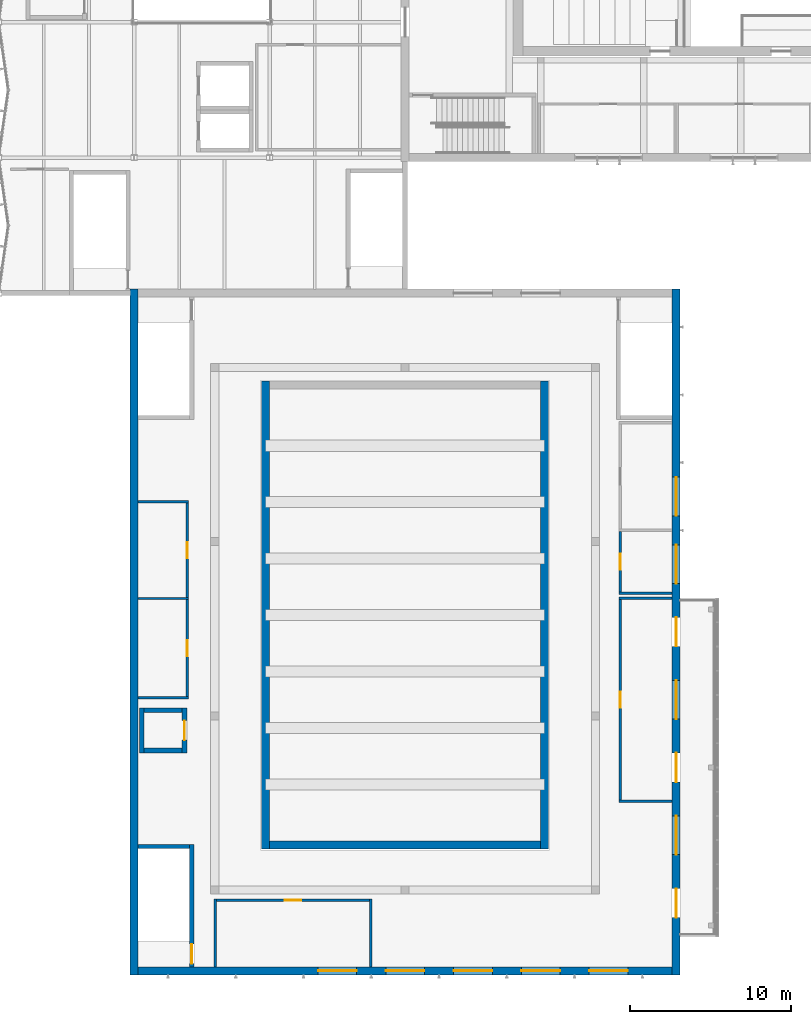
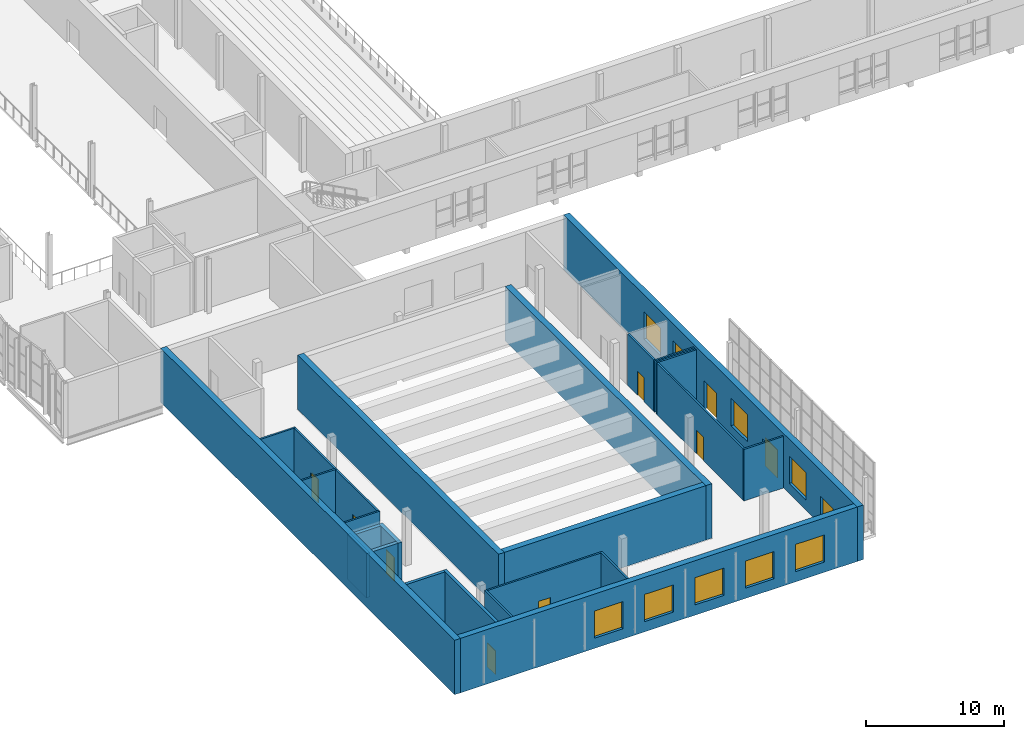
# One storey, part 69 of 116: 25 walls, 10 doors, 9 windows, 19 openings.
"""IFC4 building model written with IfcOpenShell, lengths in metres."""

import ifcopenshell
import ifcopenshell.guid

model = None  # the IFC model being written
_history = None  # IfcOwnerHistory: only IFC2X3 demands one
_inside = {}  # id of a spatial element -> (the spatial element, [elements in it])
_under = {}  # id of a project, library or spatial element -> (it, [spatial elements below it])
_declared = {}  # id of a project -> (the project, [libraries it declares])
_typed = {}  # id of a type object -> (the type object, [elements of that type])
_made_of = {}  # id of a material, layer set ... -> (it, [elements and type objects made of it])


def new_model(schema):
    """Start an empty IFC model of exactly this schema.

    Asked for "IFC4X3", IfcOpenShell would pick the latest addendum, in which some entities
    have other attributes; the version numbers below select the first issue.
    IFC2X3 requires an IfcOwnerHistory on every rooted entity: one is made here for all.
    """
    global model, _history
    if schema == "IFC4X3":
        model = ifcopenshell.file(schema_version=(4, 3, 0, 0))
    else:
        model = ifcopenshell.file(schema=schema)
    _inside.clear()
    _under.clear()
    _declared.clear()
    _typed.clear()
    _made_of.clear()
    _history = None
    if model.schema == "IFC2X3":
        org = make("IfcOrganization", Name="unknown")
        user = make(
            "IfcPersonAndOrganization",
            ThePerson=make("IfcPerson", FamilyName="unknown"),
            TheOrganization=org,
        )
        app = make(
            "IfcApplication",
            ApplicationDeveloper=org,
            Version="unknown",
            ApplicationFullName="unknown",
            ApplicationIdentifier="unknown",
        )
        _history = make(
            "IfcOwnerHistory",
            OwningUser=user,
            OwningApplication=app,
            ChangeAction="ADDED",
            CreationDate=0,
        )
    return model


def make(cls, **values):
    """One entity of the class cls with the attributes given. An attribute that is None is left unset."""
    return model.create_entity(
        cls, **{name: value for name, value in values.items() if value is not None}
    )


def rooted(cls, **values):
    """An entity with a GlobalId (a new one), such as an element, a storey or a relation."""
    return make(cls, GlobalId=ifcopenshell.guid.new(), OwnerHistory=_history, **values)


def si_unit(unit_type, name, prefix=None):
    """IfcSIUnit, for example si_unit("LENGTHUNIT", "METRE", prefix="MILLI")."""
    return make("IfcSIUnit", UnitType=unit_type, Prefix=prefix, Name=name)


def assignment(units):
    """IfcUnitAssignment: the units of a project."""
    return None if units is None else make("IfcUnitAssignment", Units=units)


def point(xyz):
    """IfcCartesianPoint."""
    return None if xyz is None else make("IfcCartesianPoint", Coordinates=xyz)


def direction(xyz):
    """IfcDirection."""
    return None if xyz is None else make("IfcDirection", DirectionRatios=xyz)


def frame(location, z_axis=None, x_axis=None):
    """IfcAxis2Placement3D, a coordinate frame: its origin and axes. An axis left out is left unset."""
    return make(
        "IfcAxis2Placement3D",
        Location=point(location),
        Axis=direction(z_axis),
        RefDirection=direction(x_axis),
    )


def frame_2d(location, x_axis=None):
    """IfcAxis2Placement2D, a coordinate frame in the plane: its origin and x axis."""
    return make(
        "IfcAxis2Placement2D", Location=point(location), RefDirection=direction(x_axis)
    )


def origin():
    """The frame at (0, 0, 0) with its axes left unset."""
    return frame((0.0, 0.0, 0.0))


def place(relative_to, where):
    """IfcLocalPlacement: puts the frame where relative to a parent placement (None: the world)."""
    return make(
        "IfcLocalPlacement", PlacementRelTo=relative_to, RelativePlacement=where
    )


def context(
    kind, dimensions, precision=None, world=None, true_north=None, identifier=None
):
    """IfcGeometricRepresentationContext, for example the 3D "Model" context."""
    return make(
        "IfcGeometricRepresentationContext",
        ContextIdentifier=identifier,
        ContextType=kind,
        CoordinateSpaceDimension=dimensions,
        Precision=precision,
        WorldCoordinateSystem=world,
        TrueNorth=true_north,
    )


def subcontext(parent, identifier, kind, view, scale=None):
    """IfcGeometricRepresentationSubContext, for example "Body" below "Model"."""
    return make(
        "IfcGeometricRepresentationSubContext",
        ContextIdentifier=identifier,
        ContextType=kind,
        ParentContext=parent,
        TargetScale=scale,
        TargetView=view,
    )


def project(units=None, contexts=None):
    """IfcProject with its units and contexts."""
    return rooted(
        "IfcProject",
        Name="project",
        RepresentationContexts=contexts,
        UnitsInContext=assignment(units),
    )


def spatial(cls, under=None, at=None, **own):
    """A site, building, storey or space (cls), placed at a placement, below another one or the project."""
    s = rooted(cls, ObjectPlacement=at, **own)
    if under is not None:
        _under.setdefault(under.id(), (under, []))[1].append(s)
    return s


def profile(cls, at=None, kind="AREA", **sizes):
    """A parametric profile (cls). Its sizes go by their IFC names, for example OverallWidth=200.0."""
    return make(cls, ProfileType=kind, Position=at, **sizes)


def rectangle(**sizes):
    """IfcRectangleProfileDef."""
    return profile("IfcRectangleProfileDef", **sizes)


def extrude(swept, where, along, depth):
    """IfcExtrudedAreaSolid: the profile swept, set in the frame where, extruded along a direction by depth."""
    return make(
        "IfcExtrudedAreaSolid",
        SweptArea=swept,
        Position=where,
        ExtrudedDirection=direction(along),
        Depth=depth,
    )


def shape(context_of_items, identifier, shape_type, items):
    """IfcShapeRepresentation: the items that make up one representation, for example the "Body"."""
    return make(
        "IfcShapeRepresentation",
        ContextOfItems=context_of_items,
        RepresentationIdentifier=identifier,
        RepresentationType=shape_type,
        Items=items,
    )


def material(Name=None, Category=None):
    """IfcMaterial."""
    return make("IfcMaterial", Name=Name, Category=Category)


def layer(
    of_material, thickness, ventilated=None, Name=None, Category=None, Priority=None
):
    """IfcMaterialLayer: one layer of a wall or slab, of a material (None: an air gap)."""
    return make(
        "IfcMaterialLayer",
        Material=of_material,
        LayerThickness=thickness,
        IsVentilated=ventilated,
        Name=Name,
        Category=Category,
        Priority=Priority,
    )


def layer_set(layers, Name=None):
    """IfcMaterialLayerSet."""
    return make("IfcMaterialLayerSet", MaterialLayers=layers, LayerSetName=Name)


def made_of(thing, what):
    """Note that an element or type object is made of a material, layer set ...; save() writes the relation."""
    if what is not None:
        _made_of.setdefault(what.id(), (what, []))[1].append(thing)
    return thing


def type_object(cls, material=None, **own):
    """A type object (cls), such as IfcWallType, which elements share."""
    return made_of(rooted(cls, **own), material)


def element(
    cls,
    number,
    at=None,
    inside=None,
    cuts=None,
    type_object=None,
    material=None,
    context=None,
    identifier="Body",
    shape_type=None,
    held_by="IfcProductDefinitionShape",
    body=None,
    shapes=None,
    **own,
):
    """One element of the class cls, such as IfcWall. Its Tag is "e" and its number.

    at: its placement. inside: the storey or other place that contains it. cuts: it is an
    opening in that element (IfcRelVoidsElement). A single representation is given by context,
    identifier, shape_type and body (its items); several are given by shapes. held_by: the class
    of the entity that holds the representations. save() writes the other relations.
    """
    e = rooted(cls, Tag="e%d" % number, ObjectPlacement=at, **own)
    if body is not None:
        shapes = [shape(context, identifier, shape_type, body)]
    if shapes is not None:
        e.Representation = make(held_by, Representations=shapes)
    if inside is not None:
        _inside.setdefault(inside.id(), (inside, []))[1].append(e)
    if cuts is not None:
        rooted(
            "IfcRelVoidsElement", RelatingBuildingElement=cuts, RelatedOpeningElement=e
        )
    if type_object is not None:
        _typed.setdefault(type_object.id(), (type_object, []))[1].append(e)
    return made_of(e, material)


def fill(opening, filler):
    """IfcRelFillsElement: the door or window that sits in an opening."""
    return rooted(
        "IfcRelFillsElement",
        RelatingOpeningElement=opening,
        RelatedBuildingElement=filler,
    )


def aggregate(whole, parts):
    """IfcRelAggregates: a whole, such as a stair, and the parts it consists of."""
    return rooted("IfcRelAggregates", RelatingObject=whole, RelatedObjects=parts)


def save(model, path):
    """Write the relations noted so far, then the file.

    IfcRelAggregates (storeys below a building ...), IfcRelContainedInSpatialStructure (elements
    in a storey), IfcRelDefinesByType, IfcRelAssociatesMaterial and IfcRelDeclares: one each for
    every whole, place, type object, material and project.
    """
    for whole, parts in _under.values():
        aggregate(whole, parts)
    for where, things in _inside.values():
        rooted(
            "IfcRelContainedInSpatialStructure",
            RelatedElements=things,
            RelatingStructure=where,
        )
    for kind, things in _typed.values():
        rooted("IfcRelDefinesByType", RelatedObjects=things, RelatingType=kind)
    for what, things in _made_of.values():
        rooted("IfcRelAssociatesMaterial", RelatedObjects=things, RelatingMaterial=what)
    for by, libraries in _declared.values():
        rooted("IfcRelDeclares", RelatingContext=by, RelatedDefinitions=libraries)
    model.write(path)


model = new_model("IFC4")

# Units and contexts
model_context = context("Model", 3, precision=1e-05, world=origin(), true_north=direction((0.0, 1.0)))
body_context = subcontext(model_context, "Body", "Model", "MODEL_VIEW")
ifc_project = project(units=[si_unit("LENGTHUNIT", "METRE"), si_unit("AREAUNIT", "SQUARE_METRE"), si_unit("VOLUMEUNIT", "CUBIC_METRE"), si_unit("PLANEANGLEUNIT", "RADIAN"), si_unit("MASSUNIT", "GRAM", prefix="KILO")], contexts=[model_context])

# Site, building, storey
site_placement = place(None, origin())
site = spatial("IfcSite", under=ifc_project, at=site_placement, CompositionType="ELEMENT")
building_placement = place(site_placement, origin())
building = spatial("IfcBuilding", under=site, at=building_placement, Name="Ljudholm Concert House", CompositionType="ELEMENT")
storey_placement = place(building_placement, frame((0.0, 0.0, 10.199951171875)))
storey = spatial("IfcBuildingStorey", under=building, at=storey_placement, Name="L02", CompositionType="ELEMENT", Elevation=10.199951171875)

# Wall, opening, door
ifc_material_1 = material(Name="Gypsum board on steel studs", Category="steel")
ifc_layer_1 = layer(ifc_material_1, 0.14990234375)
ifc_layer_set_1 = layer_set([ifc_layer_1], Name="Gypsum board on steel studs")
wall_type_1 = type_object("IfcWallType", Name="GYPSUM PARTITION 150", PredefinedType="PARTITIONING", material=ifc_layer_set_1)
wall_1_placement = place(storey_placement, frame((17.5, 8.375, 0.0), z_axis=(0.0, 0.0, 1.0), x_axis=(1.0, 0.0, 0.0)))
wall_1 = element("IfcWall", 1, at=wall_1_placement, inside=storey, type_object=wall_type_1, Name="Ventilation Plant Room partition", PredefinedType="PARTITIONING", context=body_context, shape_type="SweptSolid", body=[
    extrude(rectangle(XDim=9.5, YDim=0.14990234375, at=frame_2d((4.75, 0.0))), origin(), (0.0, 0.0, 1.0), 4.550048828125),
])
opening_1_placement = place(wall_1_placement, frame((4.25, 0.0, 0.0)))
opening_1 = element("IfcOpeningElement", 2, at=opening_1_placement, cuts=wall_1, Name="Opening D-C02-005", PredefinedType="OPENING", context=body_context, shape_type="SweptSolid", body=[
    extrude(rectangle(XDim=1.0, YDim=2.10009765625, at=frame_2d((0.5, 1.050048828125))), frame((0.0, 0.0849609375, 0.0), z_axis=(0.0, -1.0, 0.0), x_axis=(1.0, 0.0, 0.0)), (0.0, 0.0, 1.0), 0.169921875),
])
ifc_material_2 = material(Name="Hollow metal door in steel frame", Category="steel")
door_type_1 = type_object("IfcDoorType", Name="SWING DOOR 1000x2100", OperationType="SINGLE_SWING_LEFT", PredefinedType="DOOR", material=ifc_material_2)
door_1_placement = place(opening_1_placement, frame((1.0, 0.0, 0.0), z_axis=(0.0, 0.0, 1.0), x_axis=(-1.0, 0.0, 0.0)))
door_1 = element("IfcDoor", 3, at=door_1_placement, inside=storey, type_object=door_type_1, Name="Ventilation Plant Room door", OperationType="SINGLE_SWING_RIGHT", OverallHeight=2.10009765625, OverallWidth=1.0, PredefinedType="DOOR", context=body_context, shape_type="SweptSolid", body=[
    extrude(rectangle(XDim=1.0, YDim=2.10009765625, at=frame_2d((0.5, 1.050048828125))), frame((0.0, 0.02490234375, 0.0), z_axis=(0.0, -1.0, 0.0), x_axis=(1.0, 0.0, 0.0)), (0.0, 0.0, 1.0), 0.050048828125),
])
fill(opening_1, door_1)

# Walls
for number, where, z_axis, x_axis, name in (
    (4, (17.425048828125, 4.25, 0.0), (0.0, 0.0, 1.0), (0.0, 1.0, 0.0), "Ventilation Plant Room partition"),
    (5, (27.074951171875, 4.25, 0.0), (0.0, 0.0, 1.0), (0.0, 1.0, 0.0), "Ventilation Plant Room partition"),
):
    element("IfcWall", number, at=place(storey_placement, frame(where, z_axis=z_axis, x_axis=x_axis)), inside=storey, type_object=wall_type_1, Name=name, PredefinedType="PARTITIONING", context=body_context, shape_type="SweptSolid", body=[
        extrude(rectangle(XDim=4.199951171875, YDim=0.14990234375, at=frame_2d((2.10009765625, 0.0))), origin(), (0.0, 0.0, 1.0), 4.550048828125),
    ])

# Wall, opening, door
wall_2_placement = place(storey_placement, frame((15.699951171875, 21.0, 0.0), z_axis=(0.0, 0.0, 1.0), x_axis=(0.0, 1.0, 0.0)))
wall_2 = element("IfcWall", 6, at=wall_2_placement, inside=storey, type_object=wall_type_1, Name="Control Room partition", PredefinedType="PARTITIONING", context=body_context, shape_type="SweptSolid", body=[
    extrude(rectangle(XDim=6.0, YDim=0.14990234375, at=frame_2d((3.0, 0.0))), origin(), (0.0, 0.0, 1.0), 4.550048828125),
])
opening_2_placement = place(wall_2_placement, frame((2.5, 0.0, 0.0)))
opening_2 = element("IfcOpeningElement", 7, at=opening_2_placement, cuts=wall_2, Name="Opening D-C02-006", PredefinedType="OPENING", context=body_context, shape_type="SweptSolid", body=[
    extrude(rectangle(XDim=1.0, YDim=2.10009765625, at=frame_2d((0.5, 1.050048828125))), frame((0.0, 0.0849609375, 0.0), z_axis=(0.0, -1.0, 0.0), x_axis=(1.0, 0.0, 0.0)), (0.0, 0.0, 1.0), 0.169921875),
])
door_2_placement = place(opening_2_placement, origin())
door_2 = element("IfcDoor", 8, at=door_2_placement, inside=storey, type_object=door_type_1, Name="Control Room door", OperationType="SINGLE_SWING_LEFT", OverallHeight=2.10009765625, OverallWidth=1.0, PredefinedType="DOOR", context=body_context, shape_type="SweptSolid", body=[
    extrude(rectangle(XDim=1.0, YDim=2.10009765625, at=frame_2d((0.5, 1.050048828125))), frame((0.0, 0.02490234375, 0.0), z_axis=(0.0, -1.0, 0.0), x_axis=(1.0, 0.0, 0.0)), (0.0, 0.0, 1.0), 0.050048828125),
])
fill(opening_2, door_2)

# Walls
for number, where, z_axis, x_axis, name in (
    (9, (12.64990234375, 20.925048828125, 0.0), (0.0, 0.0, 1.0), (1.0, 0.0, 0.0), "Control Room partition"),
    (10, (12.64990234375, 27.074951171875, 0.0), (0.0, 0.0, 1.0), (1.0, 0.0, 0.0), "Control Room partition"),
):
    element("IfcWall", number, at=place(storey_placement, frame(where, z_axis=z_axis, x_axis=x_axis)), inside=storey, type_object=wall_type_1, Name=name, PredefinedType="PARTITIONING", context=body_context, shape_type="SweptSolid", body=[
        extrude(rectangle(XDim=3.125, YDim=0.14990234375, at=frame_2d((1.5625, 0.0))), origin(), (0.0, 0.0, 1.0), 4.550048828125),
    ])

# Wall, opening, door
wall_3_placement = place(storey_placement, frame((15.699951171875, 27.14990234375, 0.0), z_axis=(0.0, 0.0, 1.0), x_axis=(0.0, 1.0, 0.0)))
wall_3 = element("IfcWall", 11, at=wall_3_placement, inside=storey, type_object=wall_type_1, Name="Acoustic Plant Room partition", PredefinedType="PARTITIONING", context=body_context, shape_type="SweptSolid", body=[
    extrude(rectangle(XDim=5.85009765625, YDim=0.14990234375, at=frame_2d((2.925048828125, 0.0))), origin(), (0.0, 0.0, 1.0), 4.550048828125),
])
opening_3_placement = place(wall_3_placement, frame((2.425048828125, 0.0, 0.0)))
opening_3 = element("IfcOpeningElement", 12, at=opening_3_placement, cuts=wall_3, Name="Opening D-C02-007", PredefinedType="OPENING", context=body_context, shape_type="SweptSolid", body=[
    extrude(rectangle(XDim=1.0, YDim=2.10009765625, at=frame_2d((0.5, 1.050048828125))), frame((0.0, 0.0849609375, 0.0), z_axis=(0.0, -1.0, 0.0), x_axis=(1.0, 0.0, 0.0)), (0.0, 0.0, 1.0), 0.169921875),
])
door_3_placement = place(opening_3_placement, origin())
door_3 = element("IfcDoor", 13, at=door_3_placement, inside=storey, type_object=door_type_1, Name="Acoustic Plant Room door", OperationType="SINGLE_SWING_RIGHT", OverallHeight=2.10009765625, OverallWidth=1.0, PredefinedType="DOOR", context=body_context, shape_type="SweptSolid", body=[
    extrude(rectangle(XDim=1.0, YDim=2.10009765625, at=frame_2d((0.5, 1.050048828125))), frame((0.0, 0.02490234375, 0.0), z_axis=(0.0, -1.0, 0.0), x_axis=(1.0, 0.0, 0.0)), (0.0, 0.0, 1.0), 0.050048828125),
])
fill(opening_3, door_3)

# Wall
wall_4_placement = place(storey_placement, frame((12.64990234375, 33.074951171875, 0.0), z_axis=(0.0, 0.0, 1.0), x_axis=(1.0, 0.0, 0.0)))
element("IfcWall", 14, at=wall_4_placement, inside=storey, type_object=wall_type_1, Name="Acoustic Plant Room partition", PredefinedType="PARTITIONING", context=body_context, shape_type="SweptSolid", body=[
    extrude(rectangle(XDim=3.125, YDim=0.14990234375, at=frame_2d((1.5625, 0.0))), origin(), (0.0, 0.0, 1.0), 4.550048828125),
])

# Wall, opening, door
wall_5_placement = place(storey_placement, frame((42.52490234375, 14.574951171875, 0.0), z_axis=(0.0, 0.0, 1.0), x_axis=(0.0, 1.0, 0.0)))
wall_5 = element("IfcWall", 15, at=wall_5_placement, inside=storey, type_object=wall_type_1, Name="Chamber Hall Lounge partition", PredefinedType="PARTITIONING", context=body_context, shape_type="SweptSolid", body=[
    extrude(rectangle(XDim=12.449951171875, YDim=0.14990234375, at=frame_2d((6.22509765625, 0.0))), origin(), (0.0, 0.0, 1.0), 4.550048828125),
])
opening_4_placement = place(wall_5_placement, frame((5.72509765625, 0.0, 0.0)))
opening_4 = element("IfcOpeningElement", 16, at=opening_4_placement, cuts=wall_5, Name="Opening D-C02-008", PredefinedType="OPENING", context=body_context, shape_type="SweptSolid", body=[
    extrude(rectangle(XDim=1.0, YDim=2.10009765625, at=frame_2d((0.5, 1.050048828125))), frame((0.0, 0.0849609375, 0.0), z_axis=(0.0, -1.0, 0.0), x_axis=(1.0, 0.0, 0.0)), (0.0, 0.0, 1.0), 0.169921875),
])
door_4_placement = place(opening_4_placement, origin())
door_4 = element("IfcDoor", 17, at=door_4_placement, inside=storey, type_object=door_type_1, Name="Chamber Hall Lounge door", OperationType="SINGLE_SWING_RIGHT", OverallHeight=2.10009765625, OverallWidth=1.0, PredefinedType="DOOR", context=body_context, shape_type="SweptSolid", body=[
    extrude(rectangle(XDim=1.0, YDim=2.10009765625, at=frame_2d((0.5, 1.050048828125))), frame((0.0, 0.02490234375, 0.0), z_axis=(0.0, -1.0, 0.0), x_axis=(1.0, 0.0, 0.0)), (0.0, 0.0, 1.0), 0.050048828125),
])
fill(opening_4, door_4)

# Walls
for number, where, z_axis, x_axis, name in (
    (18, (42.449951171875, 14.5, 0.0), (0.0, 0.0, 1.0), (1.0, 0.0, 0.0), "Chamber Hall Lounge partition"),
    (19, (42.449951171875, 27.10009765625, 0.0), (0.0, 0.0, 1.0), (1.0, 0.0, 0.0), "Chamber Hall Lounge partition"),
):
    element("IfcWall", number, at=place(storey_placement, frame(where, z_axis=z_axis, x_axis=x_axis)), inside=storey, type_object=wall_type_1, Name=name, PredefinedType="PARTITIONING", context=body_context, shape_type="SweptSolid", body=[
        extrude(rectangle(XDim=3.300048828125, YDim=0.14990234375, at=frame_2d((1.64990234375, 0.0))), origin(), (0.0, 0.0, 1.0), 4.550048828125),
    ])

# Wall, opening, door
wall_6_placement = place(storey_placement, frame((42.52490234375, 27.47509765625, 0.0), z_axis=(0.0, 0.0, 1.0), x_axis=(0.0, 1.0, 0.0)))
wall_6 = element("IfcWall", 20, at=wall_6_placement, inside=storey, type_object=wall_type_1, Name="Practice Room 1 partition", PredefinedType="PARTITIONING", context=body_context, shape_type="SweptSolid", body=[
    extrude(rectangle(XDim=3.75, YDim=0.14990234375, at=frame_2d((1.875, 0.0))), origin(), (0.0, 0.0, 1.0), 4.550048828125),
])
opening_5_placement = place(wall_6_placement, frame((1.375, 0.0, 0.0)))
opening_5 = element("IfcOpeningElement", 21, at=opening_5_placement, cuts=wall_6, Name="Opening D-C02-009", PredefinedType="OPENING", context=body_context, shape_type="SweptSolid", body=[
    extrude(rectangle(XDim=1.0, YDim=2.10009765625, at=frame_2d((0.5, 1.050048828125))), frame((0.0, 0.0849609375, 0.0), z_axis=(0.0, -1.0, 0.0), x_axis=(1.0, 0.0, 0.0)), (0.0, 0.0, 1.0), 0.169921875),
])
door_5_placement = place(opening_5_placement, frame((1.0, 0.0, 0.0), z_axis=(0.0, 0.0, 1.0), x_axis=(-1.0, 0.0, 0.0)))
door_5 = element("IfcDoor", 22, at=door_5_placement, inside=storey, type_object=door_type_1, Name="Practice Room 1 door", OperationType="SINGLE_SWING_LEFT", OverallHeight=2.10009765625, OverallWidth=1.0, PredefinedType="DOOR", context=body_context, shape_type="SweptSolid", body=[
    extrude(rectangle(XDim=1.0, YDim=2.10009765625, at=frame_2d((0.5, 1.050048828125))), frame((0.0, 0.02490234375, 0.0), z_axis=(0.0, -1.0, 0.0), x_axis=(1.0, 0.0, 0.0)), (0.0, 0.0, 1.0), 0.050048828125),
])
fill(opening_5, door_5)

# Wall
wall_7_placement = place(storey_placement, frame((42.449951171875, 27.39990234375, 0.0), z_axis=(0.0, 0.0, 1.0), x_axis=(1.0, 0.0, 0.0)))
element("IfcWall", 23, at=wall_7_placement, inside=storey, type_object=wall_type_1, Name="Practice Room 1 partition", PredefinedType="PARTITIONING", context=body_context, shape_type="SweptSolid", body=[
    extrude(rectangle(XDim=3.300048828125, YDim=0.14990234375, at=frame_2d((1.64990234375, 0.0))), origin(), (0.0, 0.0, 1.0), 4.550048828125),
])

# Wall, opening, door
ifc_material_3 = material(Name="Concrete 6,500 psi", Category="concrete")
ifc_layer_2 = layer(ifc_material_3, 0.25)
ifc_layer_set_2 = layer_set([ifc_layer_2], Name="Concrete 6,500 psi")
wall_type_2 = type_object("IfcWallType", Name="RC WALL 250", PredefinedType="SOLIDWALL", material=ifc_layer_set_2)
wall_8_placement = place(storey_placement, frame((15.97509765625, 4.25, 0.0), z_axis=(0.0, 0.0, 1.0), x_axis=(0.0, 1.0, 0.0)))
wall_8 = element("IfcWall", 24, at=wall_8_placement, inside=storey, type_object=wall_type_2, Name="Stair enclosure wall EC1", PredefinedType="SOLIDWALL", context=body_context, shape_type="SweptSolid", body=[
    extrude(rectangle(XDim=7.570068359375, YDim=0.25, at=frame_2d((3.78515625, 0.0))), origin(), (0.0, 0.0, 1.0), 4.800048828125),
])
opening_6_placement = place(wall_8_placement, frame((0.199951171875, 0.0, 0.0)))
opening_6 = element("IfcOpeningElement", 25, at=opening_6_placement, cuts=wall_8, Name="Opening D-C02-011", PredefinedType="OPENING", context=body_context, shape_type="SweptSolid", body=[
    extrude(rectangle(XDim=1.199951171875, YDim=2.10009765625, at=frame_2d((0.60009765625, 1.050048828125))), frame((0.0, 0.135009765625, 0.0), z_axis=(0.0, -1.0, 0.0), x_axis=(1.0, 0.0, 0.0)), (0.0, 0.0, 1.0), 0.27001953125),
])
ifc_material_4 = material(Name="Hollow metal door in steel frame", Category="steel")
door_type_2 = type_object("IfcDoorType", Name="SWING DOOR 1200x2100", OperationType="SINGLE_SWING_LEFT", PredefinedType="DOOR", material=ifc_material_4)
door_6_placement = place(opening_6_placement, origin())
door_6 = element("IfcDoor", 26, at=door_6_placement, inside=storey, type_object=door_type_2, Name="Exit stair EC1 door", OperationType="SINGLE_SWING_RIGHT", OverallHeight=2.10009765625, OverallWidth=1.199951171875, PredefinedType="DOOR", context=body_context, shape_type="SweptSolid", body=[
    extrude(rectangle(XDim=1.199951171875, YDim=2.10009765625, at=frame_2d((0.60009765625, 1.050048828125))), frame((0.0, 0.02490234375, 0.0), z_axis=(0.0, -1.0, 0.0), x_axis=(1.0, 0.0, 0.0)), (0.0, 0.0, 1.0), 0.050048828125),
])
fill(opening_6, door_6)

# Walls
wall_9_placement = place(storey_placement, frame((12.64990234375, 11.695068359375, 0.0), z_axis=(0.0, 0.0, 1.0), x_axis=(1.0, 0.0, 0.0)))
element("IfcWall", 27, at=wall_9_placement, inside=storey, type_object=wall_type_2, Name="Stair enclosure wall EC1", PredefinedType="SOLIDWALL", context=body_context, shape_type="SweptSolid", body=[
    extrude(rectangle(XDim=3.2001953125, YDim=0.25, at=frame_2d((1.60009765625, 0.0))), origin(), (0.0, 0.0, 1.0), 4.800048828125),
])
ifc_material_5 = material(Name="Concrete 6,500 psi", Category="concrete")
ifc_layer_3 = layer(ifc_material_5, 0.300048828125)
ifc_layer_set_3 = layer_set([ifc_layer_3], Name="Concrete 6,500 psi")
wall_type_3 = type_object("IfcWallType", Name="RC WALL 300", PredefinedType="SOLIDWALL", material=ifc_layer_set_3)
wall_10_placement = place(storey_placement, frame((12.875, 17.5, 0.0), z_axis=(0.0, 0.0, 1.0), x_axis=(0.0, 1.0, 0.0)))
element("IfcWall", 28, at=wall_10_placement, inside=storey, type_object=wall_type_3, Name="Lift shaft wall", PredefinedType="SOLIDWALL", context=body_context, shape_type="SweptSolid", body=[
    extrude(rectangle(XDim=2.800048828125, YDim=0.300048828125, at=frame_2d((1.39990234375, 0.0))), origin(), (0.0, 0.0, 1.0), 3.900146484375),
])

# Wall, opening, door
wall_11_placement = place(storey_placement, frame((15.52490234375, 17.5, 0.0), z_axis=(0.0, 0.0, 1.0), x_axis=(0.0, 1.0, 0.0)))
wall_11 = element("IfcWall", 29, at=wall_11_placement, inside=storey, type_object=wall_type_3, Name="Lift shaft wall", PredefinedType="SOLIDWALL", context=body_context, shape_type="SweptSolid", body=[
    extrude(rectangle(XDim=2.800048828125, YDim=0.300048828125, at=frame_2d((1.39990234375, 0.0))), origin(), (0.0, 0.0, 1.0), 3.900146484375),
])
opening_7_placement = place(wall_11_placement, frame((0.800048828125, 0.0, 0.0)))
opening_7 = element("IfcOpeningElement", 30, at=opening_7_placement, cuts=wall_11, Name="Opening LD-C02-001", PredefinedType="OPENING", context=body_context, shape_type="SweptSolid", body=[
    extrude(rectangle(XDim=1.199951171875, YDim=2.10009765625, at=frame_2d((0.60009765625, 1.050048828125))), frame((0.0, 0.159912109375, 0.0), z_axis=(0.0, -1.0, 0.0), x_axis=(1.0, 0.0, 0.0)), (0.0, 0.0, 1.0), 0.320068359375),
])
ifc_material_6 = material(Name="Stainless steel sliding landing door, fire-rated", Category="steel")
door_type_3 = type_object("IfcDoorType", Name="LIFT DOOR 1200x2100", OperationType="SLIDING_TO_LEFT", PredefinedType="DOOR", material=ifc_material_6)
door_7_placement = place(opening_7_placement, origin())
door_7 = element("IfcDoor", 31, at=door_7_placement, inside=storey, type_object=door_type_3, Name="Lift landing door", OperationType="SLIDING_TO_LEFT", OverallHeight=2.10009765625, OverallWidth=1.199951171875, PredefinedType="DOOR", context=body_context, shape_type="SweptSolid", body=[
    extrude(rectangle(XDim=1.199951171875, YDim=2.10009765625, at=frame_2d((0.60009765625, 1.050048828125))), frame((0.0, 0.02490234375, 0.0), z_axis=(0.0, -1.0, 0.0), x_axis=(1.0, 0.0, 0.0)), (0.0, 0.0, 1.0), 0.050048828125),
])
fill(opening_7, door_7)

# Walls
for number, where, z_axis, x_axis, name in (
    (32, (13.02490234375, 17.64990234375, 0.0), (0.0, 0.0, 1.0), (1.0, 0.0, 0.0), "Lift shaft wall"),
    (33, (13.02490234375, 20.14990234375, 0.0), (0.0, 0.0, 1.0), (1.0, 0.0, 0.0), "Lift shaft wall"),
):
    element("IfcWall", number, at=place(storey_placement, frame(where, z_axis=z_axis, x_axis=x_axis)), inside=storey, type_object=wall_type_3, Name=name, PredefinedType="SOLIDWALL", context=body_context, shape_type="SweptSolid", body=[
        extrude(rectangle(XDim=2.35009765625, YDim=0.300048828125, at=frame_2d((1.175048828125, 0.0))), origin(), (0.0, 0.0, 1.0), 3.900146484375),
    ])
ifc_material_7 = material(Name="Concrete 6,500 psi", Category="concrete")
ifc_layer_4 = layer(ifc_material_7, 0.5)
ifc_layer_set_4 = layer_set([ifc_layer_4], Name="Concrete 6,500 psi")
wall_type_4 = type_object("IfcWallType", Name="RC WALL 500", PredefinedType="SOLIDWALL", material=ifc_layer_set_4)
wall_12_placement = place(storey_placement, frame((12.39990234375, 3.75, 0.0), z_axis=(0.0, 0.0, 1.0), x_axis=(0.0, 1.0, 0.0)))
element("IfcWall", 34, at=wall_12_placement, inside=storey, type_object=wall_type_4, Name="Outer wall W", PredefinedType="SOLIDWALL", context=body_context, shape_type="SweptSolid", body=[
    extrude(rectangle(XDim=42.5, YDim=0.5, at=frame_2d((21.25, 0.0))), origin(), (0.0, 0.0, 1.0), 4.800048828125),
])

# Wall, openings, doors, windows
wall_13_placement = place(storey_placement, frame((46.0, 3.75, 0.0), z_axis=(0.0, 0.0, 1.0), x_axis=(0.0, 1.0, 0.0)))
wall_13 = element("IfcWall", 35, at=wall_13_placement, inside=storey, type_object=wall_type_4, Name="Outer wall E", PredefinedType="SOLIDWALL", context=body_context, shape_type="SweptSolid", body=[
    extrude(rectangle(XDim=42.5, YDim=0.5, at=frame_2d((21.25, 0.0))), origin(), (0.0, 0.0, 1.0), 4.800048828125),
])
opening_8_placement = place(wall_13_placement, frame((7.449951171875, 0.0, 0.89990234375)))
opening_8 = element("IfcOpeningElement", 36, at=opening_8_placement, cuts=wall_13, Name="Opening X-C02-006", PredefinedType="OPENING", context=body_context, shape_type="SweptSolid", body=[
    extrude(rectangle(XDim=2.39990234375, YDim=2.39990234375, at=frame_2d((1.199951171875, 1.199951171875))), frame((0.0, 0.260009765625, 0.0), z_axis=(0.0, -1.0, 0.0), x_axis=(1.0, 0.0, 0.0)), (0.0, 0.0, 1.0), 0.52001953125),
])
opening_9_placement = place(wall_13_placement, frame((15.85009765625, 0.0, 0.89990234375)))
opening_9 = element("IfcOpeningElement", 37, at=opening_9_placement, cuts=wall_13, Name="Opening X-C02-007", PredefinedType="OPENING", context=body_context, shape_type="SweptSolid", body=[
    extrude(rectangle(XDim=2.39990234375, YDim=2.39990234375, at=frame_2d((1.199951171875, 1.199951171875))), frame((0.0, 0.260009765625, 0.0), z_axis=(0.0, -1.0, 0.0), x_axis=(1.0, 0.0, 0.0)), (0.0, 0.0, 1.0), 0.52001953125),
])
opening_10_placement = place(wall_13_placement, frame((24.25, 0.0, 0.89990234375)))
opening_10 = element("IfcOpeningElement", 38, at=opening_10_placement, cuts=wall_13, Name="Opening X-C02-008", PredefinedType="OPENING", context=body_context, shape_type="SweptSolid", body=[
    extrude(rectangle(XDim=2.39990234375, YDim=2.39990234375, at=frame_2d((1.199951171875, 1.199951171875))), frame((0.0, 0.260009765625, 0.0), z_axis=(0.0, -1.0, 0.0), x_axis=(1.0, 0.0, 0.0)), (0.0, 0.0, 1.0), 0.52001953125),
])
opening_11_placement = place(wall_13_placement, frame((28.449951171875, 0.0, 0.89990234375)))
opening_11 = element("IfcOpeningElement", 39, at=opening_11_placement, cuts=wall_13, Name="Opening X-C02-009", PredefinedType="OPENING", context=body_context, shape_type="SweptSolid", body=[
    extrude(rectangle(XDim=2.39990234375, YDim=2.39990234375, at=frame_2d((1.199951171875, 1.199951171875))), frame((0.0, 0.260009765625, 0.0), z_axis=(0.0, -1.0, 0.0), x_axis=(1.0, 0.0, 0.0)), (0.0, 0.0, 1.0), 0.52001953125),
])
opening_12_placement = place(wall_13_placement, frame((3.550048828125, 0.0, 0.0)))
opening_12 = element("IfcOpeningElement", 40, at=opening_12_placement, cuts=wall_13, Name="Opening D-C02-002", PredefinedType="OPENING", context=body_context, shape_type="SweptSolid", body=[
    extrude(rectangle(XDim=1.800048828125, YDim=2.5, at=frame_2d((0.89990234375, 1.25))), frame((0.0, 0.260009765625, 0.0), z_axis=(0.0, -1.0, 0.0), x_axis=(1.0, 0.0, 0.0)), (0.0, 0.0, 1.0), 0.52001953125),
])
opening_13_placement = place(wall_13_placement, frame((11.949951171875, 0.0, 0.0)))
opening_13 = element("IfcOpeningElement", 41, at=opening_13_placement, cuts=wall_13, Name="Opening D-C02-003", PredefinedType="OPENING", context=body_context, shape_type="SweptSolid", body=[
    extrude(rectangle(XDim=1.800048828125, YDim=2.5, at=frame_2d((0.89990234375, 1.25))), frame((0.0, 0.260009765625, 0.0), z_axis=(0.0, -1.0, 0.0), x_axis=(1.0, 0.0, 0.0)), (0.0, 0.0, 1.0), 0.52001953125),
])
opening_14_placement = place(wall_13_placement, frame((20.35009765625, 0.0, 0.0)))
opening_14 = element("IfcOpeningElement", 42, at=opening_14_placement, cuts=wall_13, Name="Opening D-C02-004", PredefinedType="OPENING", context=body_context, shape_type="SweptSolid", body=[
    extrude(rectangle(XDim=1.800048828125, YDim=2.5, at=frame_2d((0.89990234375, 1.25))), frame((0.0, 0.260009765625, 0.0), z_axis=(0.0, -1.0, 0.0), x_axis=(1.0, 0.0, 0.0)), (0.0, 0.0, 1.0), 0.52001953125),
])
ifc_material_8 = material(Name="Aluminium-framed glazed door, impact-rated", Category="aluminium")
door_type_4 = type_object("IfcDoorType", Name="DOUBLE DOOR 1800x2500", OperationType="DOUBLE_DOOR_SINGLE_SWING", PredefinedType="DOOR", material=ifc_material_8)
door_8_placement = place(opening_12_placement, frame((1.800048828125, 0.0, 0.0), z_axis=(0.0, 0.0, 1.0), x_axis=(-1.0, 0.0, 0.0)))
door_8 = element("IfcDoor", 43, at=door_8_placement, inside=storey, type_object=door_type_4, Name="Loggia door", OperationType="DOUBLE_DOOR_SINGLE_SWING", OverallHeight=2.5, OverallWidth=1.800048828125, PredefinedType="DOOR", context=body_context, shape_type="SweptSolid", body=[
    extrude(rectangle(XDim=1.800048828125, YDim=2.5, at=frame_2d((0.89990234375, 1.25))), frame((0.0, 0.02490234375, 0.0), z_axis=(0.0, -1.0, 0.0), x_axis=(1.0, 0.0, 0.0)), (0.0, 0.0, 1.0), 0.050048828125),
])
fill(opening_12, door_8)
door_9_placement = place(opening_13_placement, frame((1.800048828125, 0.0, 0.0), z_axis=(0.0, 0.0, 1.0), x_axis=(-1.0, 0.0, 0.0)))
door_9 = element("IfcDoor", 44, at=door_9_placement, inside=storey, type_object=door_type_4, Name="Loggia door", OperationType="DOUBLE_DOOR_SINGLE_SWING", OverallHeight=2.5, OverallWidth=1.800048828125, PredefinedType="DOOR", context=body_context, shape_type="SweptSolid", body=[
    extrude(rectangle(XDim=1.800048828125, YDim=2.5, at=frame_2d((0.89990234375, 1.25))), frame((0.0, 0.02490234375, 0.0), z_axis=(0.0, -1.0, 0.0), x_axis=(1.0, 0.0, 0.0)), (0.0, 0.0, 1.0), 0.050048828125),
])
fill(opening_13, door_9)
door_10_placement = place(opening_14_placement, frame((1.800048828125, 0.0, 0.0), z_axis=(0.0, 0.0, 1.0), x_axis=(-1.0, 0.0, 0.0)))
door_10 = element("IfcDoor", 45, at=door_10_placement, inside=storey, type_object=door_type_4, Name="Loggia door", OperationType="DOUBLE_DOOR_SINGLE_SWING", OverallHeight=2.5, OverallWidth=1.800048828125, PredefinedType="DOOR", context=body_context, shape_type="SweptSolid", body=[
    extrude(rectangle(XDim=1.800048828125, YDim=2.5, at=frame_2d((0.89990234375, 1.25))), frame((0.0, 0.02490234375, 0.0), z_axis=(0.0, -1.0, 0.0), x_axis=(1.0, 0.0, 0.0)), (0.0, 0.0, 1.0), 0.050048828125),
])
fill(opening_14, door_10)
ifc_material_9 = material(Name="Aluminium frame, impact glazing", Category="aluminium")
window_type = type_object("IfcWindowType", Name="FIXED WINDOW 2400x2400", PartitioningType="SINGLE_PANEL", PredefinedType="WINDOW", material=ifc_material_9)
window_1_placement = place(opening_8_placement, origin())
window_1 = element("IfcWindow", 46, at=window_1_placement, inside=storey, type_object=window_type, Name="Promenade window", OverallHeight=2.39990234375, OverallWidth=2.39990234375, PartitioningType="SINGLE_PANEL", PredefinedType="WINDOW", context=body_context, shape_type="SweptSolid", body=[
    extrude(rectangle(XDim=2.39990234375, YDim=2.39990234375, at=frame_2d((1.199951171875, 1.199951171875))), frame((0.0, 0.030029296875, 0.0), z_axis=(0.0, -1.0, 0.0), x_axis=(1.0, 0.0, 0.0)), (0.0, 0.0, 1.0), 0.06005859375),
])
fill(opening_8, window_1)
window_2_placement = place(opening_9_placement, origin())
window_2 = element("IfcWindow", 47, at=window_2_placement, inside=storey, type_object=window_type, Name="Promenade window", OverallHeight=2.39990234375, OverallWidth=2.39990234375, PartitioningType="SINGLE_PANEL", PredefinedType="WINDOW", context=body_context, shape_type="SweptSolid", body=[
    extrude(rectangle(XDim=2.39990234375, YDim=2.39990234375, at=frame_2d((1.199951171875, 1.199951171875))), frame((0.0, 0.030029296875, 0.0), z_axis=(0.0, -1.0, 0.0), x_axis=(1.0, 0.0, 0.0)), (0.0, 0.0, 1.0), 0.06005859375),
])
fill(opening_9, window_2)
window_3_placement = place(opening_10_placement, origin())
window_3 = element("IfcWindow", 48, at=window_3_placement, inside=storey, type_object=window_type, Name="Promenade window", OverallHeight=2.39990234375, OverallWidth=2.39990234375, PartitioningType="SINGLE_PANEL", PredefinedType="WINDOW", context=body_context, shape_type="SweptSolid", body=[
    extrude(rectangle(XDim=2.39990234375, YDim=2.39990234375, at=frame_2d((1.199951171875, 1.199951171875))), frame((0.0, 0.030029296875, 0.0), z_axis=(0.0, -1.0, 0.0), x_axis=(1.0, 0.0, 0.0)), (0.0, 0.0, 1.0), 0.06005859375),
])
fill(opening_10, window_3)
window_4_placement = place(opening_11_placement, origin())
window_4 = element("IfcWindow", 49, at=window_4_placement, inside=storey, type_object=window_type, Name="Promenade window", OverallHeight=2.39990234375, OverallWidth=2.39990234375, PartitioningType="SINGLE_PANEL", PredefinedType="WINDOW", context=body_context, shape_type="SweptSolid", body=[
    extrude(rectangle(XDim=2.39990234375, YDim=2.39990234375, at=frame_2d((1.199951171875, 1.199951171875))), frame((0.0, 0.030029296875, 0.0), z_axis=(0.0, -1.0, 0.0), x_axis=(1.0, 0.0, 0.0)), (0.0, 0.0, 1.0), 0.06005859375),
])
fill(opening_11, window_4)

# Wall, openings, windows
wall_14_placement = place(storey_placement, frame((12.64990234375, 4.0, 0.0), z_axis=(0.0, 0.0, 1.0), x_axis=(1.0, 0.0, 0.0)))
wall_14 = element("IfcWall", 50, at=wall_14_placement, inside=storey, type_object=wall_type_4, Name="Outer wall S", PredefinedType="SOLIDWALL", context=body_context, shape_type="SweptSolid", body=[
    extrude(rectangle(XDim=33.10009765625, YDim=0.5, at=frame_2d((16.550048828125, 0.0))), origin(), (0.0, 0.0, 1.0), 4.800048828125),
])
opening_15_placement = place(wall_14_placement, frame((11.14990234375, 0.0, 0.89990234375)))
opening_15 = element("IfcOpeningElement", 51, at=opening_15_placement, cuts=wall_14, Name="Opening X-C02-001", PredefinedType="OPENING", context=body_context, shape_type="SweptSolid", body=[
    extrude(rectangle(XDim=2.39990234375, YDim=2.39990234375, at=frame_2d((1.199951171875, 1.199951171875))), frame((0.0, 0.260009765625, 0.0), z_axis=(0.0, -1.0, 0.0), x_axis=(1.0, 0.0, 0.0)), (0.0, 0.0, 1.0), 0.52001953125),
])
opening_16_placement = place(wall_14_placement, frame((15.35009765625, 0.0, 0.89990234375)))
opening_16 = element("IfcOpeningElement", 52, at=opening_16_placement, cuts=wall_14, Name="Opening X-C02-002", PredefinedType="OPENING", context=body_context, shape_type="SweptSolid", body=[
    extrude(rectangle(XDim=2.39990234375, YDim=2.39990234375, at=frame_2d((1.199951171875, 1.199951171875))), frame((0.0, 0.260009765625, 0.0), z_axis=(0.0, -1.0, 0.0), x_axis=(1.0, 0.0, 0.0)), (0.0, 0.0, 1.0), 0.52001953125),
])
opening_17_placement = place(wall_14_placement, frame((19.550048828125, 0.0, 0.89990234375)))
opening_17 = element("IfcOpeningElement", 53, at=opening_17_placement, cuts=wall_14, Name="Opening X-C02-003", PredefinedType="OPENING", context=body_context, shape_type="SweptSolid", body=[
    extrude(rectangle(XDim=2.39990234375, YDim=2.39990234375, at=frame_2d((1.199951171875, 1.199951171875))), frame((0.0, 0.260009765625, 0.0), z_axis=(0.0, -1.0, 0.0), x_axis=(1.0, 0.0, 0.0)), (0.0, 0.0, 1.0), 0.52001953125),
])
opening_18_placement = place(wall_14_placement, frame((23.75, 0.0, 0.89990234375)))
opening_18 = element("IfcOpeningElement", 54, at=opening_18_placement, cuts=wall_14, Name="Opening X-C02-004", PredefinedType="OPENING", context=body_context, shape_type="SweptSolid", body=[
    extrude(rectangle(XDim=2.39990234375, YDim=2.39990234375, at=frame_2d((1.199951171875, 1.199951171875))), frame((0.0, 0.260009765625, 0.0), z_axis=(0.0, -1.0, 0.0), x_axis=(1.0, 0.0, 0.0)), (0.0, 0.0, 1.0), 0.52001953125),
])
opening_19_placement = place(wall_14_placement, frame((27.949951171875, 0.0, 0.89990234375)))
opening_19 = element("IfcOpeningElement", 55, at=opening_19_placement, cuts=wall_14, Name="Opening X-C02-005", PredefinedType="OPENING", context=body_context, shape_type="SweptSolid", body=[
    extrude(rectangle(XDim=2.39990234375, YDim=2.39990234375, at=frame_2d((1.199951171875, 1.199951171875))), frame((0.0, 0.260009765625, 0.0), z_axis=(0.0, -1.0, 0.0), x_axis=(1.0, 0.0, 0.0)), (0.0, 0.0, 1.0), 0.52001953125),
])
window_5_placement = place(opening_15_placement, origin())
window_5 = element("IfcWindow", 56, at=window_5_placement, inside=storey, type_object=window_type, Name="Promenade window", OverallHeight=2.39990234375, OverallWidth=2.39990234375, PartitioningType="SINGLE_PANEL", PredefinedType="WINDOW", context=body_context, shape_type="SweptSolid", body=[
    extrude(rectangle(XDim=2.39990234375, YDim=2.39990234375, at=frame_2d((1.199951171875, 1.199951171875))), frame((0.0, 0.030029296875, 0.0), z_axis=(0.0, -1.0, 0.0), x_axis=(1.0, 0.0, 0.0)), (0.0, 0.0, 1.0), 0.06005859375),
])
fill(opening_15, window_5)
window_6_placement = place(opening_16_placement, origin())
window_6 = element("IfcWindow", 57, at=window_6_placement, inside=storey, type_object=window_type, Name="Promenade window", OverallHeight=2.39990234375, OverallWidth=2.39990234375, PartitioningType="SINGLE_PANEL", PredefinedType="WINDOW", context=body_context, shape_type="SweptSolid", body=[
    extrude(rectangle(XDim=2.39990234375, YDim=2.39990234375, at=frame_2d((1.199951171875, 1.199951171875))), frame((0.0, 0.030029296875, 0.0), z_axis=(0.0, -1.0, 0.0), x_axis=(1.0, 0.0, 0.0)), (0.0, 0.0, 1.0), 0.06005859375),
])
fill(opening_16, window_6)
window_7_placement = place(opening_17_placement, origin())
window_7 = element("IfcWindow", 58, at=window_7_placement, inside=storey, type_object=window_type, Name="Promenade window", OverallHeight=2.39990234375, OverallWidth=2.39990234375, PartitioningType="SINGLE_PANEL", PredefinedType="WINDOW", context=body_context, shape_type="SweptSolid", body=[
    extrude(rectangle(XDim=2.39990234375, YDim=2.39990234375, at=frame_2d((1.199951171875, 1.199951171875))), frame((0.0, 0.030029296875, 0.0), z_axis=(0.0, -1.0, 0.0), x_axis=(1.0, 0.0, 0.0)), (0.0, 0.0, 1.0), 0.06005859375),
])
fill(opening_17, window_7)
window_8_placement = place(opening_18_placement, origin())
window_8 = element("IfcWindow", 59, at=window_8_placement, inside=storey, type_object=window_type, Name="Promenade window", OverallHeight=2.39990234375, OverallWidth=2.39990234375, PartitioningType="SINGLE_PANEL", PredefinedType="WINDOW", context=body_context, shape_type="SweptSolid", body=[
    extrude(rectangle(XDim=2.39990234375, YDim=2.39990234375, at=frame_2d((1.199951171875, 1.199951171875))), frame((0.0, 0.030029296875, 0.0), z_axis=(0.0, -1.0, 0.0), x_axis=(1.0, 0.0, 0.0)), (0.0, 0.0, 1.0), 0.06005859375),
])
fill(opening_18, window_8)
window_9_placement = place(opening_19_placement, origin())
window_9 = element("IfcWindow", 60, at=window_9_placement, inside=storey, type_object=window_type, Name="Promenade window", OverallHeight=2.39990234375, OverallWidth=2.39990234375, PartitioningType="SINGLE_PANEL", PredefinedType="WINDOW", context=body_context, shape_type="SweptSolid", body=[
    extrude(rectangle(XDim=2.39990234375, YDim=2.39990234375, at=frame_2d((1.199951171875, 1.199951171875))), frame((0.0, 0.030029296875, 0.0), z_axis=(0.0, -1.0, 0.0), x_axis=(1.0, 0.0, 0.0)), (0.0, 0.0, 1.0), 0.06005859375),
])
fill(opening_19, window_9)

# Walls
ifc_material_10 = material(Name="Concrete 6,500 psi", Category="concrete")
ifc_layer_5 = layer(ifc_material_10, 0.5)
ifc_layer_set_5 = layer_set([ifc_layer_5], Name="Concrete 6,500 psi")
wall_type_5 = type_object("IfcWallType", Name="RC WALL 500 INTERNAL", PredefinedType="SOLIDWALL", material=ifc_layer_set_5)
for number, where, z_axis, x_axis, name in (
    (61, (20.550048828125, 11.550048828125, 0.0), (0.0, 0.0, 1.0), (0.0, 1.0, 0.0), "Inner box wall W"),
    (62, (37.85009765625, 11.550048828125, 0.0), (0.0, 0.0, 1.0), (0.0, 1.0, 0.0), "Inner box wall E"),
):
    element("IfcWall", number, at=place(storey_placement, frame(where, z_axis=z_axis, x_axis=x_axis)), inside=storey, type_object=wall_type_5, Name=name, PredefinedType="SOLIDWALL", context=body_context, shape_type="SweptSolid", body=[
        extrude(rectangle(XDim=29.0, YDim=0.5, at=frame_2d((14.5, 0.0))), origin(), (0.0, 0.0, 1.0), 4.800048828125),
    ])
wall_15_placement = place(storey_placement, frame((20.800048828125, 11.800048828125, 0.0), z_axis=(0.0, 0.0, 1.0), x_axis=(1.0, 0.0, 0.0)))
element("IfcWall", 63, at=wall_15_placement, inside=storey, type_object=wall_type_5, Name="Inner box wall S", PredefinedType="SOLIDWALL", context=body_context, shape_type="SweptSolid", body=[
    extrude(rectangle(XDim=16.800048828125, YDim=0.5, at=frame_2d((8.39990234375, 0.0))), origin(), (0.0, 0.0, 1.0), 4.800048828125),
])

save(model, "model.ifc")
